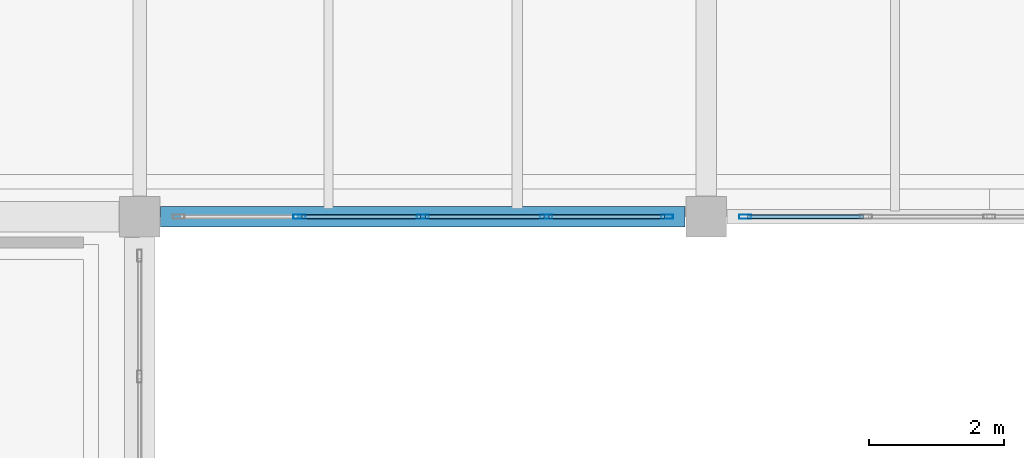
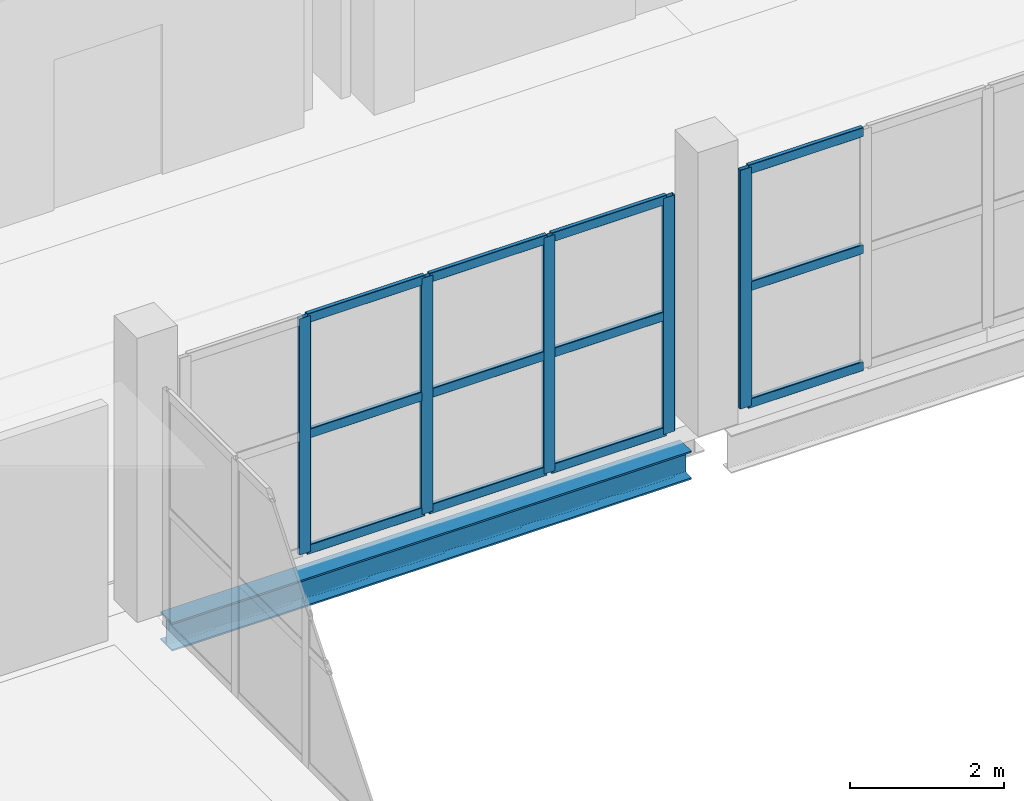
# One storey, part 29 of 54: 17 members, 1 beam, 2 elements without a shape of their own.
"""IFC4 building model written with IfcOpenShell, lengths in metres."""

import ifcopenshell
import ifcopenshell.guid

model = None  # the IFC model being written
_history = None  # IfcOwnerHistory: only IFC2X3 demands one
_inside = {}  # id of a spatial element -> (the spatial element, [elements in it])
_under = {}  # id of a project, library or spatial element -> (it, [spatial elements below it])
_declared = {}  # id of a project -> (the project, [libraries it declares])
_typed = {}  # id of a type object -> (the type object, [elements of that type])
_made_of = {}  # id of a material, layer set ... -> (it, [elements and type objects made of it])


def new_model(schema):
    """Start an empty IFC model of exactly this schema.

    Asked for "IFC4X3", IfcOpenShell would pick the latest addendum, in which some entities
    have other attributes; the version numbers below select the first issue.
    IFC2X3 requires an IfcOwnerHistory on every rooted entity: one is made here for all.
    """
    global model, _history
    if schema == "IFC4X3":
        model = ifcopenshell.file(schema_version=(4, 3, 0, 0))
    else:
        model = ifcopenshell.file(schema=schema)
    _inside.clear()
    _under.clear()
    _declared.clear()
    _typed.clear()
    _made_of.clear()
    _history = None
    if model.schema == "IFC2X3":
        org = make("IfcOrganization", Name="unknown")
        user = make(
            "IfcPersonAndOrganization",
            ThePerson=make("IfcPerson", FamilyName="unknown"),
            TheOrganization=org,
        )
        app = make(
            "IfcApplication",
            ApplicationDeveloper=org,
            Version="unknown",
            ApplicationFullName="unknown",
            ApplicationIdentifier="unknown",
        )
        _history = make(
            "IfcOwnerHistory",
            OwningUser=user,
            OwningApplication=app,
            ChangeAction="ADDED",
            CreationDate=0,
        )
    return model


def make(cls, **values):
    """One entity of the class cls with the attributes given. An attribute that is None is left unset."""
    return model.create_entity(
        cls, **{name: value for name, value in values.items() if value is not None}
    )


def rooted(cls, **values):
    """An entity with a GlobalId (a new one), such as an element, a storey or a relation."""
    return make(cls, GlobalId=ifcopenshell.guid.new(), OwnerHistory=_history, **values)


def si_unit(unit_type, name, prefix=None):
    """IfcSIUnit, for example si_unit("LENGTHUNIT", "METRE", prefix="MILLI")."""
    return make("IfcSIUnit", UnitType=unit_type, Prefix=prefix, Name=name)


def assignment(units):
    """IfcUnitAssignment: the units of a project."""
    return None if units is None else make("IfcUnitAssignment", Units=units)


def point(xyz):
    """IfcCartesianPoint."""
    return None if xyz is None else make("IfcCartesianPoint", Coordinates=xyz)


def direction(xyz):
    """IfcDirection."""
    return None if xyz is None else make("IfcDirection", DirectionRatios=xyz)


def frame(location, z_axis=None, x_axis=None):
    """IfcAxis2Placement3D, a coordinate frame: its origin and axes. An axis left out is left unset."""
    return make(
        "IfcAxis2Placement3D",
        Location=point(location),
        Axis=direction(z_axis),
        RefDirection=direction(x_axis),
    )


def frame_2d(location, x_axis=None):
    """IfcAxis2Placement2D, a coordinate frame in the plane: its origin and x axis."""
    return make(
        "IfcAxis2Placement2D", Location=point(location), RefDirection=direction(x_axis)
    )


def origin():
    """The frame at (0, 0, 0) with its axes left unset."""
    return frame((0.0, 0.0, 0.0))


def origin_2d():
    """The frame at (0, 0) in the plane with its x axis left unset."""
    return frame_2d((0.0, 0.0))


def place(relative_to, where):
    """IfcLocalPlacement: puts the frame where relative to a parent placement (None: the world)."""
    return make(
        "IfcLocalPlacement", PlacementRelTo=relative_to, RelativePlacement=where
    )


def context(
    kind, dimensions, precision=None, world=None, true_north=None, identifier=None
):
    """IfcGeometricRepresentationContext, for example the 3D "Model" context."""
    return make(
        "IfcGeometricRepresentationContext",
        ContextIdentifier=identifier,
        ContextType=kind,
        CoordinateSpaceDimension=dimensions,
        Precision=precision,
        WorldCoordinateSystem=world,
        TrueNorth=true_north,
    )


def subcontext(parent, identifier, kind, view, scale=None):
    """IfcGeometricRepresentationSubContext, for example "Body" below "Model"."""
    return make(
        "IfcGeometricRepresentationSubContext",
        ContextIdentifier=identifier,
        ContextType=kind,
        ParentContext=parent,
        TargetScale=scale,
        TargetView=view,
    )


def project(units=None, contexts=None):
    """IfcProject with its units and contexts."""
    return rooted(
        "IfcProject",
        Name="project",
        RepresentationContexts=contexts,
        UnitsInContext=assignment(units),
    )


def spatial(cls, under=None, at=None, **own):
    """A site, building, storey or space (cls), placed at a placement, below another one or the project."""
    s = rooted(cls, ObjectPlacement=at, **own)
    if under is not None:
        _under.setdefault(under.id(), (under, []))[1].append(s)
    return s


def profile(cls, at=None, kind="AREA", **sizes):
    """A parametric profile (cls). Its sizes go by their IFC names, for example OverallWidth=200.0."""
    return make(cls, ProfileType=kind, Position=at, **sizes)


def hollow_rectangle(**sizes):
    """IfcRectangleHollowProfileDef."""
    return profile("IfcRectangleHollowProfileDef", **sizes)


def i_section(**sizes):
    """IfcIShapeProfileDef."""
    return profile("IfcIShapeProfileDef", **sizes)


def extrude(swept, where, along, depth):
    """IfcExtrudedAreaSolid: the profile swept, set in the frame where, extruded along a direction by depth."""
    return make(
        "IfcExtrudedAreaSolid",
        SweptArea=swept,
        Position=where,
        ExtrudedDirection=direction(along),
        Depth=depth,
    )


def shape(context_of_items, identifier, shape_type, items):
    """IfcShapeRepresentation: the items that make up one representation, for example the "Body"."""
    return make(
        "IfcShapeRepresentation",
        ContextOfItems=context_of_items,
        RepresentationIdentifier=identifier,
        RepresentationType=shape_type,
        Items=items,
    )


def material(Name=None, Category=None):
    """IfcMaterial."""
    return make("IfcMaterial", Name=Name, Category=Category)


def layer(
    of_material, thickness, ventilated=None, Name=None, Category=None, Priority=None
):
    """IfcMaterialLayer: one layer of a wall or slab, of a material (None: an air gap)."""
    return make(
        "IfcMaterialLayer",
        Material=of_material,
        LayerThickness=thickness,
        IsVentilated=ventilated,
        Name=Name,
        Category=Category,
        Priority=Priority,
    )


def layer_set(layers, Name=None):
    """IfcMaterialLayerSet."""
    return make("IfcMaterialLayerSet", MaterialLayers=layers, LayerSetName=Name)


def material_profile(
    of_material, cross_section, Name=None, Category=None, Priority=None
):
    """IfcMaterialProfile: a cross section and its material."""
    return make(
        "IfcMaterialProfile",
        Name=Name,
        Material=of_material,
        Profile=cross_section,
        Priority=Priority,
        Category=Category,
    )


def profile_set(profiles, Name=None, composite=None):
    """IfcMaterialProfileSet."""
    return make(
        "IfcMaterialProfileSet",
        Name=Name,
        MaterialProfiles=profiles,
        CompositeProfile=composite,
    )


def made_of(thing, what):
    """Note that an element or type object is made of a material, layer set ...; save() writes the relation."""
    if what is not None:
        _made_of.setdefault(what.id(), (what, []))[1].append(thing)
    return thing


def type_object(cls, material=None, **own):
    """A type object (cls), such as IfcWallType, which elements share."""
    return made_of(rooted(cls, **own), material)


def element(
    cls,
    number,
    at=None,
    inside=None,
    cuts=None,
    type_object=None,
    material=None,
    context=None,
    identifier="Body",
    shape_type=None,
    held_by="IfcProductDefinitionShape",
    body=None,
    shapes=None,
    **own,
):
    """One element of the class cls, such as IfcWall. Its Tag is "e" and its number.

    at: its placement. inside: the storey or other place that contains it. cuts: it is an
    opening in that element (IfcRelVoidsElement). A single representation is given by context,
    identifier, shape_type and body (its items); several are given by shapes. held_by: the class
    of the entity that holds the representations. save() writes the other relations.
    """
    e = rooted(cls, Tag="e%d" % number, ObjectPlacement=at, **own)
    if body is not None:
        shapes = [shape(context, identifier, shape_type, body)]
    if shapes is not None:
        e.Representation = make(held_by, Representations=shapes)
    if inside is not None:
        _inside.setdefault(inside.id(), (inside, []))[1].append(e)
    if cuts is not None:
        rooted(
            "IfcRelVoidsElement", RelatingBuildingElement=cuts, RelatedOpeningElement=e
        )
    if type_object is not None:
        _typed.setdefault(type_object.id(), (type_object, []))[1].append(e)
    return made_of(e, material)


def aggregate(whole, parts):
    """IfcRelAggregates: a whole, such as a stair, and the parts it consists of."""
    return rooted("IfcRelAggregates", RelatingObject=whole, RelatedObjects=parts)


def save(model, path):
    """Write the relations noted so far, then the file.

    IfcRelAggregates (storeys below a building ...), IfcRelContainedInSpatialStructure (elements
    in a storey), IfcRelDefinesByType, IfcRelAssociatesMaterial and IfcRelDeclares: one each for
    every whole, place, type object, material and project.
    """
    for whole, parts in _under.values():
        aggregate(whole, parts)
    for where, things in _inside.values():
        rooted(
            "IfcRelContainedInSpatialStructure",
            RelatedElements=things,
            RelatingStructure=where,
        )
    for kind, things in _typed.values():
        rooted("IfcRelDefinesByType", RelatedObjects=things, RelatingType=kind)
    for what, things in _made_of.values():
        rooted("IfcRelAssociatesMaterial", RelatedObjects=things, RelatingMaterial=what)
    for by, libraries in _declared.values():
        rooted("IfcRelDeclares", RelatingContext=by, RelatedDefinitions=libraries)
    model.write(path)


model = new_model("IFC4")

# Units and contexts
model_context = context("Model", 3, precision=1e-05, world=origin(), true_north=direction((0.0, 1.0)))
body_context = subcontext(model_context, "Body", "Model", "MODEL_VIEW")
ifc_project = project(units=[si_unit("LENGTHUNIT", "METRE"), si_unit("AREAUNIT", "SQUARE_METRE"), si_unit("VOLUMEUNIT", "CUBIC_METRE"), si_unit("PLANEANGLEUNIT", "RADIAN"), si_unit("MASSUNIT", "GRAM", prefix="KILO")], contexts=[model_context])

# Site, building, storey
site_placement = place(None, origin())
site = spatial("IfcSite", under=ifc_project, at=site_placement, CompositionType="ELEMENT")
building_placement = place(site_placement, origin())
building = spatial("IfcBuilding", under=site, at=building_placement, Name="Zulmaris Art Gallery", CompositionType="ELEMENT")
storey_placement = place(building_placement, frame((0.0, 0.0, 26.39990234375)))
storey = spatial("IfcBuildingStorey", under=building, at=storey_placement, Name="L05", CompositionType="ELEMENT", Elevation=26.39990234375)

# Beam
ifc_material_1 = material(Name="Steel S355J2", Category="steel")
ifc_material_profile_1 = material_profile(ifc_material_1, i_section(OverallWidth=0.300048828125, OverallDepth=0.449951171875, WebThickness=0.013916015625, FlangeThickness=0.02587890625, FilletRadius=0.027099609375, at=origin_2d()), Name="HEB 450")
ifc_profile_set_1 = profile_set([ifc_material_profile_1], Name="Steel S355J2")
beam_type = type_object("IfcBeamType", Name="BEAM-BM13", PredefinedType="BEAM", material=ifc_profile_set_1)
beam_placement = place(storey_placement, frame((158.7099609375, 58.800048828125, -0.534912109375), z_axis=(1.0, 0.0, 0.0), x_axis=(0.0, 1.0, 0.0)))
element("IfcBeam", 1, at=beam_placement, inside=storey, type_object=beam_type, Name="L05 X-girder (158.4..166.8, y=58.8)", PredefinedType="BEAM", context=body_context, shape_type="SweptSolid", body=[
    extrude(i_section(OverallWidth=0.300048828125, OverallDepth=0.449951171875, WebThickness=0.013916015625, FlangeThickness=0.02587890625, FilletRadius=0.027099609375, at=origin_2d()), origin(), (0.0, 0.0, 1.0), 7.780029296875),
])

# Curtain wall, members
ifc_material_2 = material(Name="Courtyard Artists Studio Curtain Wall", Category="aluminium")
ifc_layer = layer(ifc_material_2, 0.179931640625)
ifc_layer_set = layer_set([ifc_layer], Name="Courtyard Artists Studio Curtain Wall")
curtain_wall_type = type_object("IfcCurtainWallType", Name="CW-CW04", PredefinedType="NOTDEFINED", material=ifc_layer_set)
curtain_wall_1_placement = place(storey_placement, origin())
curtain_wall_1 = element("IfcCurtainWall", 2, at=curtain_wall_1_placement, inside=storey, type_object=curtain_wall_type, Name="L05 curtain wall 168", PredefinedType="NOTDEFINED")
ifc_material_3 = material(Name="Anodised Bronze Aluminium", Category="aluminium")
ifc_material_profile_2 = material_profile(ifc_material_3, hollow_rectangle(XDim=0.06494140625, YDim=0.179931640625, WallThickness=0.00390625, InnerFilletRadius=0.006103515625, OuterFilletRadius=0.010009765625, at=origin_2d()), Name="ALU 65x180x4")
ifc_profile_set_2 = profile_set([ifc_material_profile_2], Name="Anodised Bronze Aluminium")
member_type_1 = type_object("IfcMemberType", Name="CWMUL-01", PredefinedType="MULLION", material=ifc_profile_set_2)
member_1_placement = place(storey_placement, frame((166.222412109375, 58.800048828125, 0.0), z_axis=(0.0, 0.0, 1.0), x_axis=(0.0, -1.0, 0.0)))
member_1 = element("IfcMember", 3, at=member_1_placement, type_object=member_type_1, Name="CW04 mullion 1", PredefinedType="MULLION", context=body_context, shape_type="SweptSolid", body=[
    extrude(hollow_rectangle(XDim=0.06494140625, YDim=0.179931640625, WallThickness=0.00390625, InnerFilletRadius=0.006103515625, OuterFilletRadius=0.010009765625, at=origin_2d()), origin(), (0.0, 0.0, 1.0), 3.739990234375),
])
member_2_placement = place(storey_placement, frame((164.429931640625, 58.800048828125, 0.0), z_axis=(0.0, 0.0, 1.0), x_axis=(0.0, -1.0, 0.0)))
member_2 = element("IfcMember", 4, at=member_2_placement, type_object=member_type_1, Name="CW04 mullion 2", PredefinedType="MULLION", context=body_context, shape_type="SweptSolid", body=[
    extrude(hollow_rectangle(XDim=0.06494140625, YDim=0.179931640625, WallThickness=0.00390625, InnerFilletRadius=0.006103515625, OuterFilletRadius=0.010009765625, at=origin_2d()), origin(), (0.0, 0.0, 1.0), 3.739990234375),
])
member_3_placement = place(storey_placement, frame((162.60009765625, 58.800048828125, 0.0), z_axis=(0.0, 0.0, 1.0), x_axis=(0.0, -1.0, 0.0)))
member_3 = element("IfcMember", 5, at=member_3_placement, type_object=member_type_1, Name="CW04 mullion 3", PredefinedType="MULLION", context=body_context, shape_type="SweptSolid", body=[
    extrude(hollow_rectangle(XDim=0.06494140625, YDim=0.179931640625, WallThickness=0.00390625, InnerFilletRadius=0.006103515625, OuterFilletRadius=0.010009765625, at=origin_2d()), origin(), (0.0, 0.0, 1.0), 3.739990234375),
])
member_4_placement = place(storey_placement, frame((160.77001953125, 58.800048828125, 0.0), z_axis=(0.0, 0.0, 1.0), x_axis=(0.0, -1.0, 0.0)))
member_4 = element("IfcMember", 6, at=member_4_placement, type_object=member_type_1, Name="CW04 mullion 4", PredefinedType="MULLION", context=body_context, shape_type="SweptSolid", body=[
    extrude(hollow_rectangle(XDim=0.06494140625, YDim=0.179931640625, WallThickness=0.00390625, InnerFilletRadius=0.006103515625, OuterFilletRadius=0.010009765625, at=origin_2d()), origin(), (0.0, 0.0, 1.0), 3.739990234375),
])

# Curtain wall, member
curtain_wall_2_placement = place(storey_placement, origin())
curtain_wall_2 = element("IfcCurtainWall", 7, at=curtain_wall_2_placement, inside=storey, type_object=curtain_wall_type, Name="L05 curtain wall 169", PredefinedType="NOTDEFINED")
member_5_placement = place(storey_placement, frame((167.37744140625, 58.800048828125, 0.0), z_axis=(0.0, 0.0, 1.0), x_axis=(0.0, -1.0, 0.0)))
member_5 = element("IfcMember", 8, at=member_5_placement, type_object=member_type_1, Name="CW04 mullion 5", PredefinedType="MULLION", context=body_context, shape_type="SweptSolid", body=[
    extrude(hollow_rectangle(XDim=0.06494140625, YDim=0.179931640625, WallThickness=0.00390625, InnerFilletRadius=0.006103515625, OuterFilletRadius=0.010009765625, at=origin_2d()), origin(), (0.0, 0.0, 1.0), 3.780029296875),
])

# Member
ifc_material_profile_3 = material_profile(ifc_material_3, hollow_rectangle(XDim=0.06494140625, YDim=0.14990234375, WallThickness=0.00390625, InnerFilletRadius=0.006103515625, OuterFilletRadius=0.010009765625, at=origin_2d()), Name="ALU 65x150x4")
ifc_profile_set_3 = profile_set([ifc_material_profile_3], Name="Anodised Bronze Aluminium")
member_type_2 = type_object("IfcMemberType", Name="CWTRN-01", PredefinedType="USERDEFINED", material=ifc_profile_set_3)
member_6_placement = place(storey_placement, frame((166.18505859375, 58.800048828125, 0.03759765625), z_axis=(-1.0, 0.0, 0.0), x_axis=(0.0, -1.0, 0.0)))
member_6 = element("IfcMember", 9, at=member_6_placement, type_object=member_type_2, Name="CW04 transom 1.1", ObjectType="TRANSOM", PredefinedType="USERDEFINED", context=body_context, shape_type="SweptSolid", body=[
    extrude(hollow_rectangle(XDim=0.06494140625, YDim=0.14990234375, WallThickness=0.00390625, InnerFilletRadius=0.006103515625, OuterFilletRadius=0.010009765625, at=origin_2d()), origin(), (0.0, 0.0, 1.0), 1.717529296875),
])

member_7_placement = place(storey_placement, frame((166.18505859375, 58.800048828125, 1.8701171875), z_axis=(-1.0, 0.0, 0.0), x_axis=(0.0, -1.0, 0.0)))
member_7 = element("IfcMember", 10, at=member_7_placement, type_object=member_type_2, Name="CW04 transom 1.2", ObjectType="TRANSOM", PredefinedType="USERDEFINED", context=body_context, shape_type="SweptSolid", body=[
    extrude(hollow_rectangle(XDim=0.06494140625, YDim=0.14990234375, WallThickness=0.00390625, InnerFilletRadius=0.006103515625, OuterFilletRadius=0.010009765625, at=origin_2d()), origin(), (0.0, 0.0, 1.0), 1.717529296875),
])

member_8_placement = place(storey_placement, frame((166.18505859375, 58.800048828125, 3.70263671875), z_axis=(-1.0, 0.0, 0.0), x_axis=(0.0, -1.0, 0.0)))
member_8 = element("IfcMember", 11, at=member_8_placement, type_object=member_type_2, Name="CW04 transom 1.3", ObjectType="TRANSOM", PredefinedType="USERDEFINED", context=body_context, shape_type="SweptSolid", body=[
    extrude(hollow_rectangle(XDim=0.06494140625, YDim=0.14990234375, WallThickness=0.00390625, InnerFilletRadius=0.006103515625, OuterFilletRadius=0.010009765625, at=origin_2d()), origin(), (0.0, 0.0, 1.0), 1.717529296875),
])

member_9_placement = place(storey_placement, frame((164.392578125, 58.800048828125, 0.03759765625), z_axis=(-1.0, 0.0, 0.0), x_axis=(0.0, -1.0, 0.0)))
member_9 = element("IfcMember", 12, at=member_9_placement, type_object=member_type_2, Name="CW04 transom 2.1", ObjectType="TRANSOM", PredefinedType="USERDEFINED", context=body_context, shape_type="SweptSolid", body=[
    extrude(hollow_rectangle(XDim=0.06494140625, YDim=0.14990234375, WallThickness=0.00390625, InnerFilletRadius=0.006103515625, OuterFilletRadius=0.010009765625, at=origin_2d()), origin(), (0.0, 0.0, 1.0), 1.755126953125),
])

member_10_placement = place(storey_placement, frame((164.392578125, 58.800048828125, 1.8701171875), z_axis=(-1.0, 0.0, 0.0), x_axis=(0.0, -1.0, 0.0)))
member_10 = element("IfcMember", 13, at=member_10_placement, type_object=member_type_2, Name="CW04 transom 2.2", ObjectType="TRANSOM", PredefinedType="USERDEFINED", context=body_context, shape_type="SweptSolid", body=[
    extrude(hollow_rectangle(XDim=0.06494140625, YDim=0.14990234375, WallThickness=0.00390625, InnerFilletRadius=0.006103515625, OuterFilletRadius=0.010009765625, at=origin_2d()), origin(), (0.0, 0.0, 1.0), 1.755126953125),
])

member_11_placement = place(storey_placement, frame((164.392578125, 58.800048828125, 3.70263671875), z_axis=(-1.0, 0.0, 0.0), x_axis=(0.0, -1.0, 0.0)))
member_11 = element("IfcMember", 14, at=member_11_placement, type_object=member_type_2, Name="CW04 transom 2.3", ObjectType="TRANSOM", PredefinedType="USERDEFINED", context=body_context, shape_type="SweptSolid", body=[
    extrude(hollow_rectangle(XDim=0.06494140625, YDim=0.14990234375, WallThickness=0.00390625, InnerFilletRadius=0.006103515625, OuterFilletRadius=0.010009765625, at=origin_2d()), origin(), (0.0, 0.0, 1.0), 1.755126953125),
])

member_12_placement = place(storey_placement, frame((162.5625, 58.800048828125, 0.03759765625), z_axis=(-1.0, 0.0, 0.0), x_axis=(0.0, -1.0, 0.0)))
member_12 = element("IfcMember", 15, at=member_12_placement, type_object=member_type_2, Name="CW04 transom 3.1", ObjectType="TRANSOM", PredefinedType="USERDEFINED", context=body_context, shape_type="SweptSolid", body=[
    extrude(hollow_rectangle(XDim=0.06494140625, YDim=0.14990234375, WallThickness=0.00390625, InnerFilletRadius=0.006103515625, OuterFilletRadius=0.010009765625, at=origin_2d()), origin(), (0.0, 0.0, 1.0), 1.7548828125),
])

member_13_placement = place(storey_placement, frame((162.5625, 58.800048828125, 1.8701171875), z_axis=(-1.0, 0.0, 0.0), x_axis=(0.0, -1.0, 0.0)))
member_13 = element("IfcMember", 16, at=member_13_placement, type_object=member_type_2, Name="CW04 transom 3.2", ObjectType="TRANSOM", PredefinedType="USERDEFINED", context=body_context, shape_type="SweptSolid", body=[
    extrude(hollow_rectangle(XDim=0.06494140625, YDim=0.14990234375, WallThickness=0.00390625, InnerFilletRadius=0.006103515625, OuterFilletRadius=0.010009765625, at=origin_2d()), origin(), (0.0, 0.0, 1.0), 1.7548828125),
])

member_14_placement = place(storey_placement, frame((162.5625, 58.800048828125, 3.70263671875), z_axis=(-1.0, 0.0, 0.0), x_axis=(0.0, -1.0, 0.0)))
member_14 = element("IfcMember", 17, at=member_14_placement, type_object=member_type_2, Name="CW04 transom 3.3", ObjectType="TRANSOM", PredefinedType="USERDEFINED", context=body_context, shape_type="SweptSolid", body=[
    extrude(hollow_rectangle(XDim=0.06494140625, YDim=0.14990234375, WallThickness=0.00390625, InnerFilletRadius=0.006103515625, OuterFilletRadius=0.010009765625, at=origin_2d()), origin(), (0.0, 0.0, 1.0), 1.7548828125),
])

aggregate(curtain_wall_1, [member_1, member_2, member_3, member_4, member_6, member_7, member_8, member_9, member_10, member_11, member_12, member_13, member_14])

member_15_placement = place(storey_placement, frame((169.132568359375, 58.800048828125, 0.03759765625), z_axis=(-1.0, 0.0, 0.0), x_axis=(0.0, -1.0, 0.0)))
member_15 = element("IfcMember", 18, at=member_15_placement, type_object=member_type_2, Name="CW04 transom 4.1", ObjectType="TRANSOM", PredefinedType="USERDEFINED", context=body_context, shape_type="SweptSolid", body=[
    extrude(hollow_rectangle(XDim=0.06494140625, YDim=0.14990234375, WallThickness=0.00390625, InnerFilletRadius=0.006103515625, OuterFilletRadius=0.010009765625, at=origin_2d()), origin(), (0.0, 0.0, 1.0), 1.717529296875),
])

member_16_placement = place(storey_placement, frame((169.132568359375, 58.800048828125, 1.89013671875), z_axis=(-1.0, 0.0, 0.0), x_axis=(0.0, -1.0, 0.0)))
member_16 = element("IfcMember", 19, at=member_16_placement, type_object=member_type_2, Name="CW04 transom 4.2", ObjectType="TRANSOM", PredefinedType="USERDEFINED", context=body_context, shape_type="SweptSolid", body=[
    extrude(hollow_rectangle(XDim=0.06494140625, YDim=0.14990234375, WallThickness=0.00390625, InnerFilletRadius=0.006103515625, OuterFilletRadius=0.010009765625, at=origin_2d()), origin(), (0.0, 0.0, 1.0), 1.717529296875),
])

member_17_placement = place(storey_placement, frame((169.132568359375, 58.800048828125, 3.74267578125), z_axis=(-1.0, 0.0, 0.0), x_axis=(0.0, -1.0, 0.0)))
member_17 = element("IfcMember", 20, at=member_17_placement, type_object=member_type_2, Name="CW04 transom 4.3", ObjectType="TRANSOM", PredefinedType="USERDEFINED", context=body_context, shape_type="SweptSolid", body=[
    extrude(hollow_rectangle(XDim=0.06494140625, YDim=0.14990234375, WallThickness=0.00390625, InnerFilletRadius=0.006103515625, OuterFilletRadius=0.010009765625, at=origin_2d()), origin(), (0.0, 0.0, 1.0), 1.717529296875),
])

aggregate(curtain_wall_2, [member_5, member_15, member_16, member_17])

save(model, "model.ifc")
